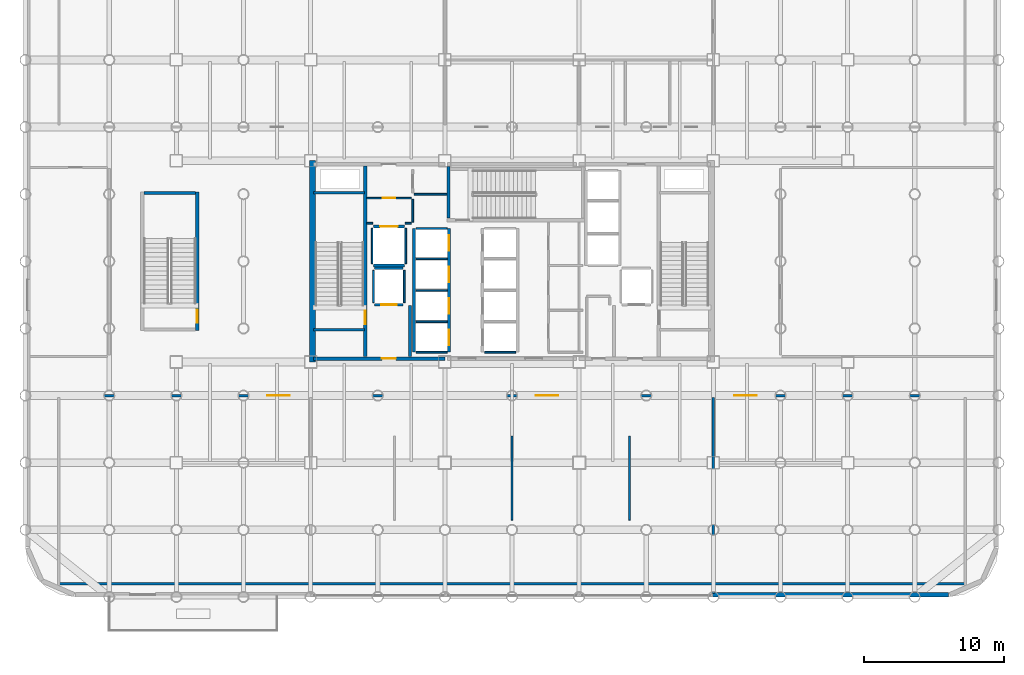
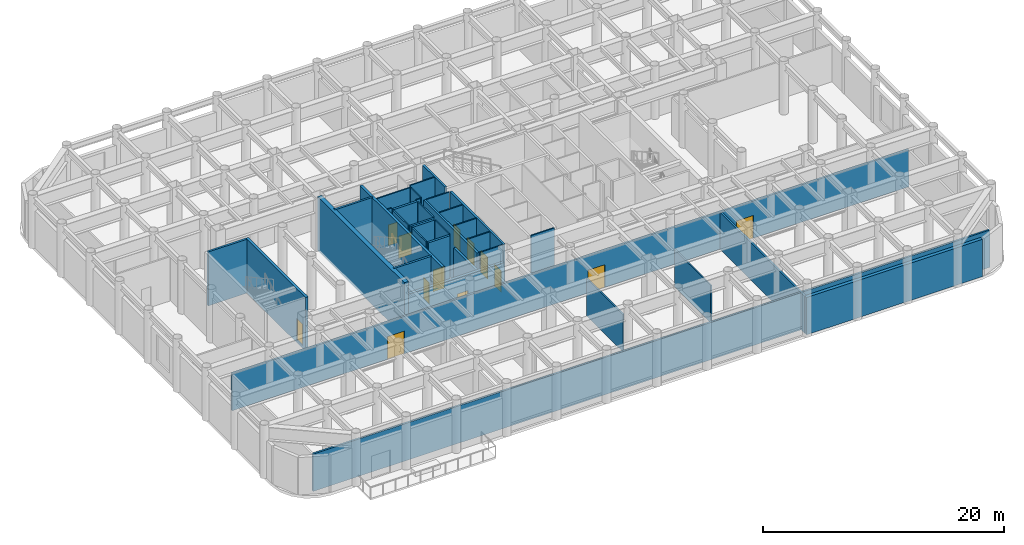
# One storey, part 12 of 17: 36 walls, 13 doors, 13 openings.
"""IFC4 building model written with IfcOpenShell, lengths in metres."""

import ifcopenshell
import ifcopenshell.guid

model = None  # the IFC model being written
_history = None  # IfcOwnerHistory: only IFC2X3 demands one
_inside = {}  # id of a spatial element -> (the spatial element, [elements in it])
_under = {}  # id of a project, library or spatial element -> (it, [spatial elements below it])
_declared = {}  # id of a project -> (the project, [libraries it declares])
_typed = {}  # id of a type object -> (the type object, [elements of that type])
_made_of = {}  # id of a material, layer set ... -> (it, [elements and type objects made of it])


def new_model(schema):
    """Start an empty IFC model of exactly this schema.

    Asked for "IFC4X3", IfcOpenShell would pick the latest addendum, in which some entities
    have other attributes; the version numbers below select the first issue.
    IFC2X3 requires an IfcOwnerHistory on every rooted entity: one is made here for all.
    """
    global model, _history
    if schema == "IFC4X3":
        model = ifcopenshell.file(schema_version=(4, 3, 0, 0))
    else:
        model = ifcopenshell.file(schema=schema)
    _inside.clear()
    _under.clear()
    _declared.clear()
    _typed.clear()
    _made_of.clear()
    _history = None
    if model.schema == "IFC2X3":
        org = make("IfcOrganization", Name="unknown")
        user = make(
            "IfcPersonAndOrganization",
            ThePerson=make("IfcPerson", FamilyName="unknown"),
            TheOrganization=org,
        )
        app = make(
            "IfcApplication",
            ApplicationDeveloper=org,
            Version="unknown",
            ApplicationFullName="unknown",
            ApplicationIdentifier="unknown",
        )
        _history = make(
            "IfcOwnerHistory",
            OwningUser=user,
            OwningApplication=app,
            ChangeAction="ADDED",
            CreationDate=0,
        )
    return model


def make(cls, **values):
    """One entity of the class cls with the attributes given. An attribute that is None is left unset."""
    return model.create_entity(
        cls, **{name: value for name, value in values.items() if value is not None}
    )


def rooted(cls, **values):
    """An entity with a GlobalId (a new one), such as an element, a storey or a relation."""
    return make(cls, GlobalId=ifcopenshell.guid.new(), OwnerHistory=_history, **values)


def si_unit(unit_type, name, prefix=None):
    """IfcSIUnit, for example si_unit("LENGTHUNIT", "METRE", prefix="MILLI")."""
    return make("IfcSIUnit", UnitType=unit_type, Prefix=prefix, Name=name)


def assignment(units):
    """IfcUnitAssignment: the units of a project."""
    return None if units is None else make("IfcUnitAssignment", Units=units)


def point(xyz):
    """IfcCartesianPoint."""
    return None if xyz is None else make("IfcCartesianPoint", Coordinates=xyz)


def direction(xyz):
    """IfcDirection."""
    return None if xyz is None else make("IfcDirection", DirectionRatios=xyz)


def frame(location, z_axis=None, x_axis=None):
    """IfcAxis2Placement3D, a coordinate frame: its origin and axes. An axis left out is left unset."""
    return make(
        "IfcAxis2Placement3D",
        Location=point(location),
        Axis=direction(z_axis),
        RefDirection=direction(x_axis),
    )


def frame_2d(location, x_axis=None):
    """IfcAxis2Placement2D, a coordinate frame in the plane: its origin and x axis."""
    return make(
        "IfcAxis2Placement2D", Location=point(location), RefDirection=direction(x_axis)
    )


def origin():
    """The frame at (0, 0, 0) with its axes left unset."""
    return frame((0.0, 0.0, 0.0))


def place(relative_to, where):
    """IfcLocalPlacement: puts the frame where relative to a parent placement (None: the world)."""
    return make(
        "IfcLocalPlacement", PlacementRelTo=relative_to, RelativePlacement=where
    )


def context(
    kind, dimensions, precision=None, world=None, true_north=None, identifier=None
):
    """IfcGeometricRepresentationContext, for example the 3D "Model" context."""
    return make(
        "IfcGeometricRepresentationContext",
        ContextIdentifier=identifier,
        ContextType=kind,
        CoordinateSpaceDimension=dimensions,
        Precision=precision,
        WorldCoordinateSystem=world,
        TrueNorth=true_north,
    )


def subcontext(parent, identifier, kind, view, scale=None):
    """IfcGeometricRepresentationSubContext, for example "Body" below "Model"."""
    return make(
        "IfcGeometricRepresentationSubContext",
        ContextIdentifier=identifier,
        ContextType=kind,
        ParentContext=parent,
        TargetScale=scale,
        TargetView=view,
    )


def project(units=None, contexts=None):
    """IfcProject with its units and contexts."""
    return rooted(
        "IfcProject",
        Name="project",
        RepresentationContexts=contexts,
        UnitsInContext=assignment(units),
    )


def spatial(cls, under=None, at=None, **own):
    """A site, building, storey or space (cls), placed at a placement, below another one or the project."""
    s = rooted(cls, ObjectPlacement=at, **own)
    if under is not None:
        _under.setdefault(under.id(), (under, []))[1].append(s)
    return s


def profile(cls, at=None, kind="AREA", **sizes):
    """A parametric profile (cls). Its sizes go by their IFC names, for example OverallWidth=200.0."""
    return make(cls, ProfileType=kind, Position=at, **sizes)


def rectangle(**sizes):
    """IfcRectangleProfileDef."""
    return profile("IfcRectangleProfileDef", **sizes)


def extrude(swept, where, along, depth):
    """IfcExtrudedAreaSolid: the profile swept, set in the frame where, extruded along a direction by depth."""
    return make(
        "IfcExtrudedAreaSolid",
        SweptArea=swept,
        Position=where,
        ExtrudedDirection=direction(along),
        Depth=depth,
    )


def shape(context_of_items, identifier, shape_type, items):
    """IfcShapeRepresentation: the items that make up one representation, for example the "Body"."""
    return make(
        "IfcShapeRepresentation",
        ContextOfItems=context_of_items,
        RepresentationIdentifier=identifier,
        RepresentationType=shape_type,
        Items=items,
    )


def material(Name=None, Category=None):
    """IfcMaterial."""
    return make("IfcMaterial", Name=Name, Category=Category)


def layer(
    of_material, thickness, ventilated=None, Name=None, Category=None, Priority=None
):
    """IfcMaterialLayer: one layer of a wall or slab, of a material (None: an air gap)."""
    return make(
        "IfcMaterialLayer",
        Material=of_material,
        LayerThickness=thickness,
        IsVentilated=ventilated,
        Name=Name,
        Category=Category,
        Priority=Priority,
    )


def layer_set(layers, Name=None):
    """IfcMaterialLayerSet."""
    return make("IfcMaterialLayerSet", MaterialLayers=layers, LayerSetName=Name)


def made_of(thing, what):
    """Note that an element or type object is made of a material, layer set ...; save() writes the relation."""
    if what is not None:
        _made_of.setdefault(what.id(), (what, []))[1].append(thing)
    return thing


def type_object(cls, material=None, **own):
    """A type object (cls), such as IfcWallType, which elements share."""
    return made_of(rooted(cls, **own), material)


def element(
    cls,
    number,
    at=None,
    inside=None,
    cuts=None,
    type_object=None,
    material=None,
    context=None,
    identifier="Body",
    shape_type=None,
    held_by="IfcProductDefinitionShape",
    body=None,
    shapes=None,
    **own,
):
    """One element of the class cls, such as IfcWall. Its Tag is "e" and its number.

    at: its placement. inside: the storey or other place that contains it. cuts: it is an
    opening in that element (IfcRelVoidsElement). A single representation is given by context,
    identifier, shape_type and body (its items); several are given by shapes. held_by: the class
    of the entity that holds the representations. save() writes the other relations.
    """
    e = rooted(cls, Tag="e%d" % number, ObjectPlacement=at, **own)
    if body is not None:
        shapes = [shape(context, identifier, shape_type, body)]
    if shapes is not None:
        e.Representation = make(held_by, Representations=shapes)
    if inside is not None:
        _inside.setdefault(inside.id(), (inside, []))[1].append(e)
    if cuts is not None:
        rooted(
            "IfcRelVoidsElement", RelatingBuildingElement=cuts, RelatedOpeningElement=e
        )
    if type_object is not None:
        _typed.setdefault(type_object.id(), (type_object, []))[1].append(e)
    return made_of(e, material)


def fill(opening, filler):
    """IfcRelFillsElement: the door or window that sits in an opening."""
    return rooted(
        "IfcRelFillsElement",
        RelatingOpeningElement=opening,
        RelatedBuildingElement=filler,
    )


def aggregate(whole, parts):
    """IfcRelAggregates: a whole, such as a stair, and the parts it consists of."""
    return rooted("IfcRelAggregates", RelatingObject=whole, RelatedObjects=parts)


def save(model, path):
    """Write the relations noted so far, then the file.

    IfcRelAggregates (storeys below a building ...), IfcRelContainedInSpatialStructure (elements
    in a storey), IfcRelDefinesByType, IfcRelAssociatesMaterial and IfcRelDeclares: one each for
    every whole, place, type object, material and project.
    """
    for whole, parts in _under.values():
        aggregate(whole, parts)
    for where, things in _inside.values():
        rooted(
            "IfcRelContainedInSpatialStructure",
            RelatedElements=things,
            RelatingStructure=where,
        )
    for kind, things in _typed.values():
        rooted("IfcRelDefinesByType", RelatedObjects=things, RelatingType=kind)
    for what, things in _made_of.values():
        rooted("IfcRelAssociatesMaterial", RelatedObjects=things, RelatingMaterial=what)
    for by, libraries in _declared.values():
        rooted("IfcRelDeclares", RelatingContext=by, RelatedDefinitions=libraries)
    model.write(path)


model = new_model("IFC4")

# Units and contexts
model_context = context("Model", 3, precision=1e-05, world=origin(), true_north=direction((0.0, 1.0)))
body_context = subcontext(model_context, "Body", "Model", "MODEL_VIEW")
ifc_project = project(units=[si_unit("LENGTHUNIT", "METRE"), si_unit("AREAUNIT", "SQUARE_METRE"), si_unit("VOLUMEUNIT", "CUBIC_METRE"), si_unit("PLANEANGLEUNIT", "RADIAN"), si_unit("MASSUNIT", "GRAM", prefix="KILO")], contexts=[model_context])

# Site, building, storey
site_placement = place(None, origin())
site = spatial("IfcSite", under=ifc_project, at=site_placement, CompositionType="ELEMENT")
building_placement = place(site_placement, origin())
building = spatial("IfcBuilding", under=site, at=building_placement, Name="Kallvorn Hotel Tower", CompositionType="ELEMENT")
storey_placement = place(building_placement, frame((0.0, 0.0, 19.199951171875)))
storey = spatial("IfcBuildingStorey", under=building, at=storey_placement, Name="L03", CompositionType="ELEMENT", Elevation=19.199951171875)

# Walls
ifc_material_1 = material(Name="Concrete C50/60", Category="concrete")
ifc_layer_1 = layer(ifc_material_1, 0.39990234375)
ifc_layer_set_1 = layer_set([ifc_layer_1], Name="WL_CORE_400")
wall_type_1 = type_object("IfcWallType", Name="WL_CORE_400", PredefinedType="SHEAR", material=ifc_layer_set_1)
wall_1_placement = place(storey_placement, frame((-14.264892578125, -7.199951171875, -0.280029296875), z_axis=(0.0, 0.0, 1.0), x_axis=(0.0, 1.0, 0.0)))
element("IfcWall", 1, at=wall_1_placement, inside=storey, type_object=wall_type_1, Name="L03 Core West Shear Wall", PredefinedType="SHEAR", context=body_context, shape_type="SweptSolid", body=[
    extrude(rectangle(XDim=14.39990234375, YDim=0.39990234375, at=frame_2d((7.199951171875, 0.0))), origin(), (0.0, 0.0, 1.0), 5.4599609375),
])
ifc_material_2 = material(Name="Fire-rated double-layer acoustic gypsum drywall EI 60")
ifc_layer_2 = layer(ifc_material_2, 0.179931640625)
ifc_layer_set_2 = layer_set([ifc_layer_2], Name="WL_CORR_180")
wall_type_2 = type_object("IfcWallType", Name="WL_CORR_180", PredefinedType="PARTITIONING", material=ifc_layer_set_2)
wall_2_placement = place(storey_placement, frame((-32.39990234375, -23.050048828125, 0.0), z_axis=(0.0, 0.0, 1.0), x_axis=(1.0, 0.0, 0.0)))
element("IfcWall", 2, at=wall_2_placement, inside=storey, type_object=wall_type_2, Name="L03 West Plenary Pre-Function Foyer Partition", PredefinedType="PARTITIONING", context=body_context, shape_type="SweptSolid", body=[
    extrude(rectangle(XDim=64.7998046875, YDim=0.179931640625, at=frame_2d((32.39990234375, 0.0))), origin(), (0.0, 0.0, 1.0), 3.780029296875),
])

# Wall, openings, doors
wall_3_placement = place(storey_placement, frame((-32.39990234375, -9.60009765625, 0.0), z_axis=(0.0, 0.0, 1.0), x_axis=(1.0, 0.0, 0.0)))
wall_3 = element("IfcWall", 3, at=wall_3_placement, inside=storey, type_object=wall_type_2, Name="L03 West Plenary Pre-Function Foyer Partition", PredefinedType="PARTITIONING", context=body_context, shape_type="SweptSolid", body=[
    extrude(rectangle(XDim=64.7998046875, YDim=0.179931640625, at=frame_2d((32.39990234375, 0.0))), origin(), (0.0, 0.0, 1.0), 3.780029296875),
])
opening_1_placement = place(wall_3_placement, frame((34.09814453125, 0.0, 0.0)))
opening_1 = element("IfcOpeningElement", 4, at=opening_1_placement, cuts=wall_3, Name="Opening HD1", PredefinedType="OPENING", context=body_context, shape_type="SweptSolid", body=[
    extrude(rectangle(XDim=1.60009765625, YDim=2.300048828125, at=frame_2d((0.800048828125, 1.14990234375))), frame((0.0, 0.104736328125, 0.0), z_axis=(0.0, -1.0, 0.0), x_axis=(1.0, 0.0, 0.0)), (0.0, 0.0, 1.0), 0.2099609375),
])
opening_2_placement = place(wall_3_placement, frame((14.892333984375, 0.0, 0.0)))
opening_2 = element("IfcOpeningElement", 5, at=opening_2_placement, cuts=wall_3, Name="Opening HD1", PredefinedType="OPENING", context=body_context, shape_type="SweptSolid", body=[
    extrude(rectangle(XDim=1.60009765625, YDim=2.300048828125, at=frame_2d((0.800048828125, 1.14990234375))), frame((0.0, 0.104736328125, 0.0), z_axis=(0.0, -1.0, 0.0), x_axis=(1.0, 0.0, 0.0)), (0.0, 0.0, 1.0), 0.2099609375),
])
opening_3_placement = place(wall_3_placement, frame((48.3076171875, 0.0, 0.0)))
opening_3 = element("IfcOpeningElement", 6, at=opening_3_placement, cuts=wall_3, Name="Opening HD1", PredefinedType="OPENING", context=body_context, shape_type="SweptSolid", body=[
    extrude(rectangle(XDim=1.60009765625, YDim=2.300048828125, at=frame_2d((0.800048828125, 1.14990234375))), frame((0.0, 0.104736328125, 0.0), z_axis=(0.0, -1.0, 0.0), x_axis=(1.0, 0.0, 0.0)), (0.0, 0.0, 1.0), 0.2099609375),
])
ifc_material_3 = material(Name="Solid-core walnut veneer fire-rated timber door leaf", Category="wood")
door_type_1 = type_object("IfcDoorType", Name="DR_HALL_1600x2300", OperationType="DOUBLE_DOOR_SINGLE_SWING", PredefinedType="DOOR", material=ifc_material_3)
door_1_placement = place(opening_1_placement, origin())
door_1 = element("IfcDoor", 7, at=door_1_placement, inside=storey, type_object=door_type_1, Name="L03 Andes Plenary Conference Hall Door", OperationType="DOUBLE_DOOR_SINGLE_SWING", OverallHeight=2.300048828125, OverallWidth=1.60009765625, PredefinedType="DOOR", context=body_context, shape_type="SweptSolid", body=[
    extrude(rectangle(XDim=1.60009765625, YDim=2.300048828125, at=frame_2d((0.800048828125, 1.14990234375))), frame((0.0, 0.02490234375, 0.0), z_axis=(0.0, -1.0, 0.0), x_axis=(1.0, 0.0, 0.0)), (0.0, 0.0, 1.0), 0.050048828125),
])
fill(opening_1, door_1)
door_2_placement = place(opening_2_placement, origin())
door_2 = element("IfcDoor", 8, at=door_2_placement, inside=storey, type_object=door_type_1, Name="L03 West Plenary Pre-Function Foyer Door", OperationType="DOUBLE_DOOR_SINGLE_SWING", OverallHeight=2.300048828125, OverallWidth=1.60009765625, PredefinedType="DOOR", context=body_context, shape_type="SweptSolid", body=[
    extrude(rectangle(XDim=1.60009765625, YDim=2.300048828125, at=frame_2d((0.800048828125, 1.14990234375))), frame((0.0, 0.02490234375, 0.0), z_axis=(0.0, -1.0, 0.0), x_axis=(1.0, 0.0, 0.0)), (0.0, 0.0, 1.0), 0.050048828125),
])
fill(opening_2, door_2)
door_3_placement = place(opening_3_placement, origin())
door_3 = element("IfcDoor", 9, at=door_3_placement, inside=storey, type_object=door_type_1, Name="L03 East Plenary Exhibition Hall Door", OperationType="DOUBLE_DOOR_SINGLE_SWING", OverallHeight=2.300048828125, OverallWidth=1.60009765625, PredefinedType="DOOR", context=body_context, shape_type="SweptSolid", body=[
    extrude(rectangle(XDim=1.60009765625, YDim=2.300048828125, at=frame_2d((0.800048828125, 1.14990234375))), frame((0.0, 0.02490234375, 0.0), z_axis=(0.0, -1.0, 0.0), x_axis=(1.0, 0.0, 0.0)), (0.0, 0.0, 1.0), 0.050048828125),
])
fill(opening_3, door_3)

# Walls
wall_4_placement = place(storey_placement, frame((14.39990234375, -23.7548828125, 0.0), z_axis=(0.0, 0.0, 1.0), x_axis=(0.0, 1.0, 0.0)))
element("IfcWall", 10, at=wall_4_placement, inside=storey, type_object=wall_type_2, Name="L03 Andes Plenary Conference Hall Partition", PredefinedType="PARTITIONING", context=body_context, shape_type="SweptSolid", body=[
    extrude(rectangle(XDim=14.0048828125, YDim=0.179931640625, at=frame_2d((7.00244140625, 0.0))), origin(), (0.0, 0.0, 1.0), 3.780029296875),
])
ifc_material_4 = material(Name="Precast basalt-clad insulated concrete wall C40/50", Category="masonry")
ifc_layer_3 = layer(ifc_material_4, 0.320068359375)
ifc_layer_set_3 = layer_set([ifc_layer_3], Name="WL_EXT_BAY_320")
wall_type_3 = type_object("IfcWallType", Name="WL_EXT_BAY_320", PredefinedType="SOLIDWALL", material=ifc_layer_set_3)
wall_5_placement = place(storey_placement, frame((31.199951171875, -23.840087890625, 0.0), z_axis=(0.0, 0.0, 1.0), x_axis=(-1.0, 0.0, 0.0)))
element("IfcWall", 11, at=wall_5_placement, inside=storey, type_object=wall_type_3, Name="L03 Podium Exterior Wall EW-L03-SE", PredefinedType="SOLIDWALL", context=body_context, shape_type="SweptSolid", body=[
    extrude(rectangle(XDim=16.849853515625, YDim=0.320068359375, at=frame_2d((8.4248046875, 0.0))), origin(), (0.0, 0.0, 1.0), 3.780029296875),
])
ifc_material_5 = material(Name="Concrete C40/50", Category="concrete")
ifc_layer_4 = layer(ifc_material_5, 0.219970703125)
ifc_layer_set_4 = layer_set([ifc_layer_4], Name="WL_FFL_220")
wall_type_4 = type_object("IfcWallType", Name="WL_FFL_220", PredefinedType="SOLIDWALL", material=ifc_layer_set_4)
wall_6_placement = place(storey_placement, frame((-7.300048828125, -6.820068359375, 0.0), z_axis=(0.0, 0.0, 1.0), x_axis=(0.0, 1.0, 0.0)))
element("IfcWall", 12, at=wall_6_placement, inside=storey, type_object=wall_type_4, Name="L03 Firefighting Lobby West Divider Wall", PredefinedType="SOLIDWALL", context=body_context, shape_type="SweptSolid", body=[
    extrude(rectangle(XDim=3.670166015625, YDim=0.219970703125, at=frame_2d((1.8349609375, 0.0))), origin(), (0.0, 0.0, 1.0), 3.780029296875),
])
ifc_material_6 = material(Name="Concrete C40/50", Category="concrete")
ifc_layer_5 = layer(ifc_material_6, 0.199951171875)
ifc_layer_set_5 = layer_set([ifc_layer_5], Name="WL_HOIST_200")
wall_type_5 = type_object("IfcWallType", Name="WL_HOIST_200", PredefinedType="SOLIDWALL", material=ifc_layer_set_5)
for number, where, z_axis, x_axis, name in (
    (13, (-14.199951171875, -4.89990234375, -0.280029296875), (0.0, 0.0, 1.0), (1.0, 0.0, 0.0), "L03 Stair ST1 South Wall"),
    (14, (-14.199951171875, 4.89990234375, -0.280029296875), (0.0, 0.0, 1.0), (1.0, 0.0, 0.0), "L03 Stair ST1 North Wall"),
):
    element("IfcWall", number, at=place(storey_placement, frame(where, z_axis=z_axis, x_axis=x_axis)), inside=storey, type_object=wall_type_5, Name=name, PredefinedType="SOLIDWALL", context=body_context, shape_type="SweptSolid", body=[
        extrude(rectangle(XDim=3.64990234375, YDim=0.199951171875, at=frame_2d((1.824951171875, 0.0))), origin(), (0.0, 0.0, 1.0), 5.4599609375),
    ])
wall_7_placement = place(storey_placement, frame((-4.550048828125, 3.080078125, -0.280029296875), z_axis=(0.0, 0.0, 1.0), x_axis=(0.0, 1.0, 0.0)))
element("IfcWall", 15, at=wall_7_placement, inside=storey, type_object=wall_type_5, Name="L03 Stair ST3 West Wall", PredefinedType="SOLIDWALL", context=body_context, shape_type="SweptSolid", body=[
    extrude(rectangle(XDim=3.739990234375, YDim=0.199951171875, at=frame_2d((1.8701171875, 0.0))), origin(), (0.0, 0.0, 1.0), 5.4599609375),
])
wall_8_placement = place(storey_placement, frame((-26.31005859375, 4.8798828125, -0.280029296875), z_axis=(0.0, 0.0, 1.0), x_axis=(1.0, 0.0, 0.0)))
element("IfcWall", 16, at=wall_8_placement, inside=storey, type_object=wall_type_5, Name="L03 Podium Exit Stair ST4 North Wall", PredefinedType="SOLIDWALL", context=body_context, shape_type="SweptSolid", body=[
    extrude(rectangle(XDim=3.68017578125, YDim=0.199951171875, at=frame_2d((1.840087890625, 0.0))), origin(), (0.0, 0.0, 1.0), 5.4599609375),
])

# Wall, openings, doors
wall_9_placement = place(storey_placement, frame((-4.5, -6.5, 0.0), z_axis=(0.0, 0.0, 1.0), x_axis=(0.0, 1.0, 0.0)))
wall_9 = element("IfcWall", 17, at=wall_9_placement, inside=storey, type_object=wall_type_5, Name="L03 Lift Bank B1 Landing Wall", PredefinedType="SOLIDWALL", context=body_context, shape_type="SweptSolid", body=[
    extrude(rectangle(XDim=8.85009765625, YDim=0.199951171875, at=frame_2d((4.425048828125, 0.0))), origin(), (0.0, 0.0, 1.0), 5.179931640625),
])
opening_4_placement = place(wall_9_placement, frame((0.5, 0.0, 0.0)))
opening_4 = element("IfcOpeningElement", 18, at=opening_4_placement, cuts=wall_9, Name="Opening LD-PL-01", PredefinedType="OPENING", context=body_context, shape_type="SweptSolid", body=[
    extrude(rectangle(XDim=1.10009765625, YDim=2.199951171875, at=frame_2d((0.550048828125, 1.10009765625))), frame((0.0, 0.114990234375, 0.0), z_axis=(0.0, -1.0, 0.0), x_axis=(1.0, 0.0, 0.0)), (0.0, 0.0, 1.0), 0.22998046875),
])
opening_5_placement = place(wall_9_placement, frame((2.75, 0.0, 0.0)))
opening_5 = element("IfcOpeningElement", 19, at=opening_5_placement, cuts=wall_9, Name="Opening LD-PL-02", PredefinedType="OPENING", context=body_context, shape_type="SweptSolid", body=[
    extrude(rectangle(XDim=1.10009765625, YDim=2.199951171875, at=frame_2d((0.550048828125, 1.10009765625))), frame((0.0, 0.114990234375, 0.0), z_axis=(0.0, -1.0, 0.0), x_axis=(1.0, 0.0, 0.0)), (0.0, 0.0, 1.0), 0.22998046875),
])
opening_6_placement = place(wall_9_placement, frame((5.0, 0.0, 0.0)))
opening_6 = element("IfcOpeningElement", 20, at=opening_6_placement, cuts=wall_9, Name="Opening LD-PL-03", PredefinedType="OPENING", context=body_context, shape_type="SweptSolid", body=[
    extrude(rectangle(XDim=1.10009765625, YDim=2.199951171875, at=frame_2d((0.550048828125, 1.10009765625))), frame((0.0, 0.114990234375, 0.0), z_axis=(0.0, -1.0, 0.0), x_axis=(1.0, 0.0, 0.0)), (0.0, 0.0, 1.0), 0.22998046875),
])
opening_7_placement = place(wall_9_placement, frame((7.25, 0.0, 0.0)))
opening_7 = element("IfcOpeningElement", 21, at=opening_7_placement, cuts=wall_9, Name="Opening LD-PL-04", PredefinedType="OPENING", context=body_context, shape_type="SweptSolid", body=[
    extrude(rectangle(XDim=1.10009765625, YDim=2.199951171875, at=frame_2d((0.550048828125, 1.10009765625))), frame((0.0, 0.114990234375, 0.0), z_axis=(0.0, -1.0, 0.0), x_axis=(1.0, 0.0, 0.0)), (0.0, 0.0, 1.0), 0.22998046875),
])
ifc_material_7 = material(Name="Brushed stainless-steel automatic sliding lift landing door", Category="steel")
door_type_2 = type_object("IfcDoorType", Name="LD_PASS_1100x2200", OperationType="SLIDING_TO_LEFT", PredefinedType="DOOR", material=ifc_material_7)
door_4_placement = place(opening_4_placement, origin())
door_4 = element("IfcDoor", 22, at=door_4_placement, inside=storey, type_object=door_type_2, Name="L03 Lift Landing Sliding Door LD-PL-01", OperationType="SLIDING_TO_LEFT", OverallHeight=2.199951171875, OverallWidth=1.10009765625, PredefinedType="DOOR", context=body_context, shape_type="SweptSolid", body=[
    extrude(rectangle(XDim=1.10009765625, YDim=2.199951171875, at=frame_2d((0.550048828125, 1.10009765625))), frame((0.0, 0.02490234375, 0.0), z_axis=(0.0, -1.0, 0.0), x_axis=(1.0, 0.0, 0.0)), (0.0, 0.0, 1.0), 0.050048828125),
])
fill(opening_4, door_4)
door_5_placement = place(opening_5_placement, origin())
door_5 = element("IfcDoor", 23, at=door_5_placement, inside=storey, type_object=door_type_2, Name="L03 Lift Landing Sliding Door LD-PL-02", OperationType="SLIDING_TO_LEFT", OverallHeight=2.199951171875, OverallWidth=1.10009765625, PredefinedType="DOOR", context=body_context, shape_type="SweptSolid", body=[
    extrude(rectangle(XDim=1.10009765625, YDim=2.199951171875, at=frame_2d((0.550048828125, 1.10009765625))), frame((0.0, 0.02490234375, 0.0), z_axis=(0.0, -1.0, 0.0), x_axis=(1.0, 0.0, 0.0)), (0.0, 0.0, 1.0), 0.050048828125),
])
fill(opening_5, door_5)
door_6_placement = place(opening_6_placement, origin())
door_6 = element("IfcDoor", 24, at=door_6_placement, inside=storey, type_object=door_type_2, Name="L03 Lift Landing Sliding Door LD-PL-03", OperationType="SLIDING_TO_LEFT", OverallHeight=2.199951171875, OverallWidth=1.10009765625, PredefinedType="DOOR", context=body_context, shape_type="SweptSolid", body=[
    extrude(rectangle(XDim=1.10009765625, YDim=2.199951171875, at=frame_2d((0.550048828125, 1.10009765625))), frame((0.0, 0.02490234375, 0.0), z_axis=(0.0, -1.0, 0.0), x_axis=(1.0, 0.0, 0.0)), (0.0, 0.0, 1.0), 0.050048828125),
])
fill(opening_6, door_6)
door_7_placement = place(opening_7_placement, origin())
door_7 = element("IfcDoor", 25, at=door_7_placement, inside=storey, type_object=door_type_2, Name="L03 Lift Landing Sliding Door LD-PL-04", OperationType="SLIDING_TO_LEFT", OverallHeight=2.199951171875, OverallWidth=1.10009765625, PredefinedType="DOOR", context=body_context, shape_type="SweptSolid", body=[
    extrude(rectangle(XDim=1.10009765625, YDim=2.199951171875, at=frame_2d((0.550048828125, 1.10009765625))), frame((0.0, 0.02490234375, 0.0), z_axis=(0.0, -1.0, 0.0), x_axis=(1.0, 0.0, 0.0)), (0.0, 0.0, 1.0), 0.050048828125),
])
fill(opening_7, door_7)

# Wall
wall_10_placement = place(storey_placement, frame((-7.0, -6.5, 0.0), z_axis=(0.0, 0.0, 1.0), x_axis=(0.0, 1.0, 0.0)))
element("IfcWall", 26, at=wall_10_placement, inside=storey, type_object=wall_type_5, Name="L03 Lift Bank B1 Rear Shaft Wall", PredefinedType="SOLIDWALL", context=body_context, shape_type="SweptSolid", body=[
    extrude(rectangle(XDim=8.85009765625, YDim=0.199951171875, at=frame_2d((4.425048828125, 0.0))), origin(), (0.0, 0.0, 1.0), 5.179931640625),
])

# Wall, opening, door
wall_11_placement = place(storey_placement, frame((-9.820068359375, -3.10009765625, 0.0), z_axis=(0.0, 0.0, 1.0), x_axis=(1.0, 0.0, 0.0)))
wall_11 = element("IfcWall", 27, at=wall_11_placement, inside=storey, type_object=wall_type_5, Name="L03 FL-1 Landing Wall", PredefinedType="SOLIDWALL", context=body_context, shape_type="SweptSolid", body=[
    extrude(rectangle(XDim=2.0400390625, YDim=0.199951171875, at=frame_2d((1.02001953125, 0.0))), origin(), (0.0, 0.0, 1.0), 5.179931640625),
])
opening_8_placement = place(wall_11_placement, frame((0.469970703125, 0.0, 0.0)))
opening_8 = element("IfcOpeningElement", 28, at=opening_8_placement, cuts=wall_11, Name="Opening LD-FL-1", PredefinedType="OPENING", context=body_context, shape_type="SweptSolid", body=[
    extrude(rectangle(XDim=1.10009765625, YDim=2.199951171875, at=frame_2d((0.550048828125, 1.10009765625))), frame((0.0, 0.114990234375, 0.0), z_axis=(0.0, -1.0, 0.0), x_axis=(1.0, 0.0, 0.0)), (0.0, 0.0, 1.0), 0.22998046875),
])
door_8_placement = place(opening_8_placement, origin())
door_8 = element("IfcDoor", 29, at=door_8_placement, inside=storey, type_object=door_type_2, Name="L03 Lift Landing Sliding Door LD-FL-1", OperationType="SLIDING_TO_LEFT", OverallHeight=2.199951171875, OverallWidth=1.10009765625, PredefinedType="DOOR", context=body_context, shape_type="SweptSolid", body=[
    extrude(rectangle(XDim=1.10009765625, YDim=2.199951171875, at=frame_2d((0.550048828125, 1.10009765625))), frame((0.0, 0.02490234375, 0.0), z_axis=(0.0, -1.0, 0.0), x_axis=(1.0, 0.0, 0.0)), (0.0, 0.0, 1.0), 0.050048828125),
])
fill(opening_8, door_8)

# Wall
wall_12_placement = place(storey_placement, frame((-9.820068359375, -0.5, 0.0), z_axis=(0.0, 0.0, 1.0), x_axis=(1.0, 0.0, 0.0)))
element("IfcWall", 30, at=wall_12_placement, inside=storey, type_object=wall_type_5, Name="L03 FL-1 Rear Shaft Wall", PredefinedType="SOLIDWALL", context=body_context, shape_type="SweptSolid", body=[
    extrude(rectangle(XDim=2.0400390625, YDim=0.199951171875, at=frame_2d((1.02001953125, 0.0))), origin(), (0.0, 0.0, 1.0), 5.179931640625),
])

# Wall, opening, door
wall_13_placement = place(storey_placement, frame((-9.919921875, 2.5, 0.0), z_axis=(0.0, 0.0, 1.0), x_axis=(1.0, 0.0, 0.0)))
wall_13 = element("IfcWall", 31, at=wall_13_placement, inside=storey, type_object=wall_type_5, Name="L03 SV-01 Landing Wall", PredefinedType="SOLIDWALL", context=body_context, shape_type="SweptSolid", body=[
    extrude(rectangle(XDim=2.239990234375, YDim=0.199951171875, at=frame_2d((1.1201171875, 0.0))), origin(), (0.0, 0.0, 1.0), 5.179931640625),
])
opening_9_placement = place(wall_13_placement, frame((0.4951171875, 0.0, 0.0)))
opening_9 = element("IfcOpeningElement", 32, at=opening_9_placement, cuts=wall_13, Name="Opening LD-SV-01", PredefinedType="OPENING", context=body_context, shape_type="SweptSolid", body=[
    extrude(rectangle(XDim=1.25, YDim=2.25, at=frame_2d((0.625, 1.125))), frame((0.0, 0.114990234375, 0.0), z_axis=(0.0, -1.0, 0.0), x_axis=(1.0, 0.0, 0.0)), (0.0, 0.0, 1.0), 0.22998046875),
])
ifc_material_8 = material(Name="Brushed stainless-steel automatic sliding lift landing door", Category="steel")
door_type_3 = type_object("IfcDoorType", Name="LD_SERV_1250x2250", OperationType="SLIDING_TO_LEFT", PredefinedType="DOOR", material=ifc_material_8)
door_9_placement = place(opening_9_placement, origin())
door_9 = element("IfcDoor", 33, at=door_9_placement, inside=storey, type_object=door_type_3, Name="L03 Lift Landing Sliding Door LD-SV-01", OperationType="SLIDING_TO_LEFT", OverallHeight=2.25, OverallWidth=1.25, PredefinedType="DOOR", context=body_context, shape_type="SweptSolid", body=[
    extrude(rectangle(XDim=1.25, YDim=2.25, at=frame_2d((0.625, 1.125))), frame((0.0, 0.02490234375, 0.0), z_axis=(0.0, -1.0, 0.0), x_axis=(1.0, 0.0, 0.0)), (0.0, 0.0, 1.0), 0.050048828125),
])
fill(opening_9, door_9)

# Walls
wall_14_placement = place(storey_placement, frame((-9.919921875, -0.300048828125, 0.0), z_axis=(0.0, 0.0, 1.0), x_axis=(1.0, 0.0, 0.0)))
element("IfcWall", 34, at=wall_14_placement, inside=storey, type_object=wall_type_5, Name="L03 SV-01 Rear Shaft Wall", PredefinedType="SOLIDWALL", context=body_context, shape_type="SweptSolid", body=[
    extrude(rectangle(XDim=2.239990234375, YDim=0.199951171875, at=frame_2d((1.1201171875, 0.0))), origin(), (0.0, 0.0, 1.0), 5.179931640625),
])
ifc_material_9 = material(Name="Fire-rated double-layer acoustic gypsum drywall EI 60")
ifc_layer_6 = layer(ifc_material_9, 0.1201171875)
ifc_layer_set_6 = layer_set([ifc_layer_6], Name="WL_INT_120")
wall_type_6 = type_object("IfcWallType", Name="WL_INT_120", PredefinedType="PARTITIONING", material=ifc_layer_set_6)
for number, where, z_axis, x_axis, name in (
    (35, (-6.860107421875, -6.5, 0.0), (0.0, 0.0, 1.0), (1.0, 0.0, 0.0), "L03 Lift Bank B1 South Closure Wall"),
    (36, (-6.860107421875, -4.324951171875, 0.0), (0.0, 0.0, 1.0), (1.0, 0.0, 0.0), "L03 PL-01 Hoistway Divider"),
    (37, (-6.860107421875, -2.074951171875, 0.0), (0.0, 0.0, 1.0), (1.0, 0.0, 0.0), "L03 PL-02 Hoistway Divider"),
    (38, (-6.860107421875, 0.175048828125, 0.0), (0.0, 0.0, 1.0), (1.0, 0.0, 0.0), "L03 PL-03 Hoistway Divider"),
    (39, (-6.860107421875, 2.35009765625, 0.0), (0.0, 0.0, 1.0), (1.0, 0.0, 0.0), "L03 PL-04 Hoistway Divider"),
):
    element("IfcWall", number, at=place(storey_placement, frame(where, z_axis=z_axis, x_axis=x_axis)), inside=storey, type_object=wall_type_6, Name=name, PredefinedType="PARTITIONING", context=body_context, shape_type="SweptSolid", body=[
        extrude(rectangle(XDim=2.22021484375, YDim=0.1201171875, at=frame_2d((1.110107421875, 0.0))), origin(), (0.0, 0.0, 1.0), 5.179931640625),
    ])
wall_15_placement = place(storey_placement, frame((-1.9599609375, -6.5, 0.0), z_axis=(0.0, 0.0, 1.0), x_axis=(1.0, 0.0, 0.0)))
element("IfcWall", 40, at=wall_15_placement, inside=storey, type_object=wall_type_6, Name="L03 Lift Bank B2 South Closure Wall", PredefinedType="PARTITIONING", context=body_context, shape_type="SweptSolid", body=[
    extrude(rectangle(XDim=2.219970703125, YDim=0.1201171875, at=frame_2d((1.10986328125, 0.0))), origin(), (0.0, 0.0, 1.0), 5.179931640625),
])
for number, where, z_axis, x_axis, name in (
    (41, (-9.89990234375, -2.9599609375, 0.0), (0.0, 0.0, 1.0), (0.0, 1.0, 0.0), "L03 FL-1 West Shaft Wall"),
    (42, (-7.699951171875, -2.9599609375, 0.0), (0.0, 0.0, 1.0), (0.0, 1.0, 0.0), "L03 FL-1 East Shaft Wall"),
):
    element("IfcWall", number, at=place(storey_placement, frame(where, z_axis=z_axis, x_axis=x_axis)), inside=storey, type_object=wall_type_6, Name=name, PredefinedType="PARTITIONING", context=body_context, shape_type="SweptSolid", body=[
        extrude(rectangle(XDim=2.320068359375, YDim=0.1201171875, at=frame_2d((1.16015625, 0.0))), origin(), (0.0, 0.0, 1.0), 5.179931640625),
    ])
for number, where, z_axis, x_axis, name in (
    (43, (-10.0, -0.159912109375, 0.0), (0.0, 0.0, 1.0), (0.0, 1.0, 0.0), "L03 SV-01 West Shaft Wall"),
    (44, (-7.60009765625, -0.159912109375, 0.0), (0.0, 0.0, 1.0), (0.0, 1.0, 0.0), "L03 SV-01 East Shaft Wall"),
):
    element("IfcWall", number, at=place(storey_placement, frame(where, z_axis=z_axis, x_axis=x_axis)), inside=storey, type_object=wall_type_6, Name=name, PredefinedType="PARTITIONING", context=body_context, shape_type="SweptSolid", body=[
        extrude(rectangle(XDim=2.52001953125, YDim=0.1201171875, at=frame_2d((1.260009765625, 0.0))), origin(), (0.0, 0.0, 1.0), 5.179931640625),
    ])
for number, where, z_axis, x_axis, name in (
    (45, (-10.39990234375, 2.72509765625, 0.0), (0.0, 0.0, 1.0), (1.0, 0.0, 0.0), "L03 Core Telecom and Metering Store Partition"),
    (46, (-7.639892578125, 2.72509765625, 0.0), (0.0, 0.0, 1.0), (1.0, 0.0, 0.0), "L03 Core Telecom and Metering Store Partition"),
):
    element("IfcWall", number, at=place(storey_placement, frame(where, z_axis=z_axis, x_axis=x_axis)), inside=storey, type_object=wall_type_6, Name=name, PredefinedType="PARTITIONING", context=body_context, shape_type="SweptSolid", body=[
        extrude(rectangle(XDim=0.43994140625, YDim=0.1201171875, at=frame_2d((0.219970703125, 0.0))), origin(), (0.0, 0.0, 1.0), 5.179931640625),
    ])

# Wall, opening, door
wall_16_placement = place(storey_placement, frame((-10.39990234375, 4.52001953125, 0.0), z_axis=(0.0, 0.0, 1.0), x_axis=(1.0, 0.0, 0.0)))
wall_16 = element("IfcWall", 47, at=wall_16_placement, inside=storey, type_object=wall_type_6, Name="L03 Core Telecom and Metering Store Partition", PredefinedType="PARTITIONING", context=body_context, shape_type="SweptSolid", body=[
    extrude(rectangle(XDim=3.199951171875, YDim=0.1201171875, at=frame_2d((1.60009765625, 0.0))), origin(), (0.0, 0.0, 1.0), 5.179931640625),
])
opening_10_placement = place(wall_16_placement, frame((1.14990234375, 0.0, 0.0)))
opening_10 = element("IfcOpeningElement", 48, at=opening_10_placement, cuts=wall_16, Name="Opening SVD1", PredefinedType="OPENING", context=body_context, shape_type="SweptSolid", body=[
    extrude(rectangle(XDim=0.89990234375, YDim=2.10009765625, at=frame_2d((0.449951171875, 1.050048828125))), frame((0.0, 0.074951171875, 0.0), z_axis=(0.0, -1.0, 0.0), x_axis=(1.0, 0.0, 0.0)), (0.0, 0.0, 1.0), 0.150146484375),
])
ifc_material_10 = material(Name="Galvanised painted steel fire-rated door assembly", Category="steel")
door_type_4 = type_object("IfcDoorType", Name="DR_SERV_900x2100", OperationType="NOTDEFINED", PredefinedType="DOOR", material=ifc_material_10)
door_10_placement = place(opening_10_placement, origin())
door_10 = element("IfcDoor", 49, at=door_10_placement, inside=storey, type_object=door_type_4, Name="L03 Core Telecom and Metering Store Door", OperationType="SINGLE_SWING_LEFT", OverallHeight=2.10009765625, OverallWidth=0.89990234375, PredefinedType="DOOR", context=body_context, shape_type="SweptSolid", body=[
    extrude(rectangle(XDim=0.89990234375, YDim=2.10009765625, at=frame_2d((0.449951171875, 1.050048828125))), frame((0.0, 0.02490234375, 0.0), z_axis=(0.0, -1.0, 0.0), x_axis=(1.0, 0.0, 0.0)), (0.0, 0.0, 1.0), 0.050048828125),
])
fill(opening_10, door_10)

# Walls
wall_17_placement = place(storey_placement, frame((-7.0, 4.800048828125, 0.0), z_axis=(0.0, 0.0, 1.0), x_axis=(1.0, 0.0, 0.0)))
element("IfcWall", 50, at=wall_17_placement, inside=storey, type_object=wall_type_6, Name="L03 Core Room Service Staging Pantry Partition", PredefinedType="PARTITIONING", context=body_context, shape_type="SweptSolid", body=[
    extrude(rectangle(XDim=2.35009765625, YDim=0.1201171875, at=frame_2d((1.175048828125, 0.0))), origin(), (0.0, 0.0, 1.0), 5.179931640625),
])
wall_18_placement = place(storey_placement, frame((-7.10009765625, 2.81005859375, 0.0), z_axis=(0.0, 0.0, 1.0), x_axis=(0.0, 1.0, 0.0)))
element("IfcWall", 51, at=wall_18_placement, inside=storey, type_object=wall_type_6, Name="L03 Core Telecom and Metering Store Partition", PredefinedType="PARTITIONING", context=body_context, shape_type="SweptSolid", body=[
    extrude(rectangle(XDim=1.625, YDim=0.1201171875, at=frame_2d((0.8125, 0.0))), origin(), (0.0, 0.0, 1.0), 5.179931640625),
])
ifc_material_11 = material(Name="Motorised acoustic operable partition wall STC 54")
ifc_layer_7 = layer(ifc_material_11, 0.1298828125)
ifc_layer_set_7 = layer_set([ifc_layer_7], Name="WL_MOVABLE_130")
wall_type_7 = type_object("IfcWallType", Name="WL_MOVABLE_130", PredefinedType="MOVABLE", material=ifc_layer_set_7)
for number, where, z_axis, x_axis, name in (
    (52, (0.0, -18.5, 0.0), (0.0, 0.0, 1.0), (0.0, 1.0, 0.0), "L03 Acoustic Operable Partition Wall 2"),
    (53, (8.39990234375, -18.5, 0.0), (0.0, 0.0, 1.0), (0.0, 1.0, 0.0), "L03 Acoustic Operable Partition Wall 3"),
):
    element("IfcWall", number, at=place(storey_placement, frame(where, z_axis=z_axis, x_axis=x_axis)), inside=storey, type_object=wall_type_7, Name=name, PredefinedType="MOVABLE", context=body_context, shape_type="SweptSolid", body=[
        extrude(rectangle(XDim=6.0, YDim=0.1298828125, at=frame_2d((3.0, 0.0))), origin(), (0.0, 0.0, 1.0), 3.780029296875),
    ])

# Wall, opening, door
ifc_material_12 = material(Name="Concrete C40/50", Category="concrete")
ifc_layer_8 = layer(ifc_material_12, 0.25)
ifc_layer_set_8 = layer_set([ifc_layer_8], Name="WL_SHAFT_250")
wall_type_8 = type_object("IfcWallType", Name="WL_SHAFT_250", PredefinedType="SOLIDWALL", material=ifc_layer_set_8)
wall_19_placement = place(storey_placement, frame((-14.199951171875, -6.949951171875, 0.0), z_axis=(0.0, 0.0, 1.0), x_axis=(1.0, 0.0, 0.0)))
wall_19 = element("IfcWall", 54, at=wall_19_placement, inside=storey, type_object=wall_type_8, Name="L03 Core South-West Wall", PredefinedType="SOLIDWALL", context=body_context, shape_type="SweptSolid", body=[
    extrude(rectangle(XDim=9.39990234375, YDim=0.25, at=frame_2d((4.699951171875, 0.0))), origin(), (0.0, 0.0, 1.0), 3.780029296875),
])
opening_11_placement = place(wall_19_placement, frame((4.89990234375, 0.0, 0.0)))
opening_11 = element("IfcOpeningElement", 55, at=opening_11_placement, cuts=wall_19, Name="Opening FD1", PredefinedType="OPENING", context=body_context, shape_type="SweptSolid", body=[
    extrude(rectangle(XDim=1.0, YDim=2.14990234375, at=frame_2d((0.5, 1.074951171875))), frame((0.0, 0.139892578125, 0.0), z_axis=(0.0, -1.0, 0.0), x_axis=(1.0, 0.0, 0.0)), (0.0, 0.0, 1.0), 0.280029296875),
])
ifc_material_13 = material(Name="Galvanised painted steel fire-rated door assembly", Category="steel")
door_type_5 = type_object("IfcDoorType", Name="DR_FFL_1000x2150", OperationType="NOTDEFINED", PredefinedType="DOOR", material=ifc_material_13)
door_11_placement = place(opening_11_placement, origin())
door_11 = element("IfcDoor", 56, at=door_11_placement, inside=storey, type_object=door_type_5, Name="L03 Firefighting Lobby West Door", OperationType="SINGLE_SWING_LEFT", OverallHeight=2.14990234375, OverallWidth=1.0, PredefinedType="DOOR", context=body_context, shape_type="SweptSolid", body=[
    extrude(rectangle(XDim=1.0, YDim=2.14990234375, at=frame_2d((0.5, 1.074951171875))), frame((0.0, 0.02490234375, 0.0), z_axis=(0.0, -1.0, 0.0), x_axis=(1.0, 0.0, 0.0)), (0.0, 0.0, 1.0), 0.050048828125),
])
fill(opening_11, door_11)

wall_20_placement = place(storey_placement, frame((-10.5, -6.820068359375, -0.280029296875), z_axis=(0.0, 0.0, 1.0), x_axis=(0.0, 1.0, 0.0)))
wall_20 = element("IfcWall", 57, at=wall_20_placement, inside=storey, type_object=wall_type_8, Name="L03 Stair ST1 Shaft Wall", PredefinedType="SOLIDWALL", context=body_context, shape_type="SweptSolid", body=[
    extrude(rectangle(XDim=13.64013671875, YDim=0.25, at=frame_2d((6.820068359375, 0.0))), origin(), (0.0, 0.0, 1.0), 5.4599609375),
])
opening_12_placement = place(wall_20_placement, frame((2.320068359375, 0.0, 0.280029296875)))
opening_12 = element("IfcOpeningElement", 58, at=opening_12_placement, cuts=wall_20, Name="Opening SD1", PredefinedType="OPENING", context=body_context, shape_type="SweptSolid", body=[
    extrude(rectangle(XDim=0.949951171875, YDim=2.14990234375, at=frame_2d((0.47509765625, 1.074951171875))), frame((0.0, 0.139892578125, 0.0), z_axis=(0.0, -1.0, 0.0), x_axis=(1.0, 0.0, 0.0)), (0.0, 0.0, 1.0), 0.280029296875),
])
ifc_material_14 = material(Name="Galvanised painted steel fire-rated door assembly", Category="steel")
door_type_6 = type_object("IfcDoorType", Name="DR_STAIR_950x2150", OperationType="NOTDEFINED", PredefinedType="DOOR", material=ifc_material_14)
door_12_placement = place(opening_12_placement, origin())
door_12 = element("IfcDoor", 59, at=door_12_placement, inside=storey, type_object=door_type_6, Name="L03 Exit Stair ST1 Fire Door", OperationType="SINGLE_SWING_RIGHT", OverallHeight=2.14990234375, OverallWidth=0.949951171875, PredefinedType="DOOR", context=body_context, shape_type="SweptSolid", body=[
    extrude(rectangle(XDim=0.949951171875, YDim=2.14990234375, at=frame_2d((0.47509765625, 1.074951171875))), frame((0.0, 0.02490234375, 0.0), z_axis=(0.0, -1.0, 0.0), x_axis=(1.0, 0.0, 0.0)), (0.0, 0.0, 1.0), 0.050048828125),
])
fill(opening_12, door_12)

wall_21_placement = place(storey_placement, frame((-22.5, -4.9599609375, -0.280029296875), z_axis=(0.0, 0.0, 1.0), x_axis=(0.0, 1.0, 0.0)))
wall_21 = element("IfcWall", 60, at=wall_21_placement, inside=storey, type_object=wall_type_8, Name="L03 Podium Exit Stair ST4 East Wall", PredefinedType="SOLIDWALL", context=body_context, shape_type="SweptSolid", body=[
    extrude(rectangle(XDim=9.919921875, YDim=0.25, at=frame_2d((4.9599609375, 0.0))), origin(), (0.0, 0.0, 1.0), 5.4599609375),
])
opening_13_placement = place(wall_21_placement, frame((0.550048828125, 0.0, 0.280029296875)))
opening_13 = element("IfcOpeningElement", 61, at=opening_13_placement, cuts=wall_21, Name="Opening SD1", PredefinedType="OPENING", context=body_context, shape_type="SweptSolid", body=[
    extrude(rectangle(XDim=0.949951171875, YDim=2.14990234375, at=frame_2d((0.47509765625, 1.074951171875))), frame((0.0, 0.139892578125, 0.0), z_axis=(0.0, -1.0, 0.0), x_axis=(1.0, 0.0, 0.0)), (0.0, 0.0, 1.0), 0.280029296875),
])
door_13_placement = place(opening_13_placement, origin())
door_13 = element("IfcDoor", 62, at=door_13_placement, inside=storey, type_object=door_type_6, Name="L03 Podium Exit Stair ST4 Fire Door", OperationType="SINGLE_SWING_RIGHT", OverallHeight=2.14990234375, OverallWidth=0.949951171875, PredefinedType="DOOR", context=body_context, shape_type="SweptSolid", body=[
    extrude(rectangle(XDim=0.949951171875, YDim=2.14990234375, at=frame_2d((0.47509765625, 1.074951171875))), frame((0.0, 0.02490234375, 0.0), z_axis=(0.0, -1.0, 0.0), x_axis=(1.0, 0.0, 0.0)), (0.0, 0.0, 1.0), 0.050048828125),
])
fill(opening_13, door_13)

save(model, "model.ifc")
